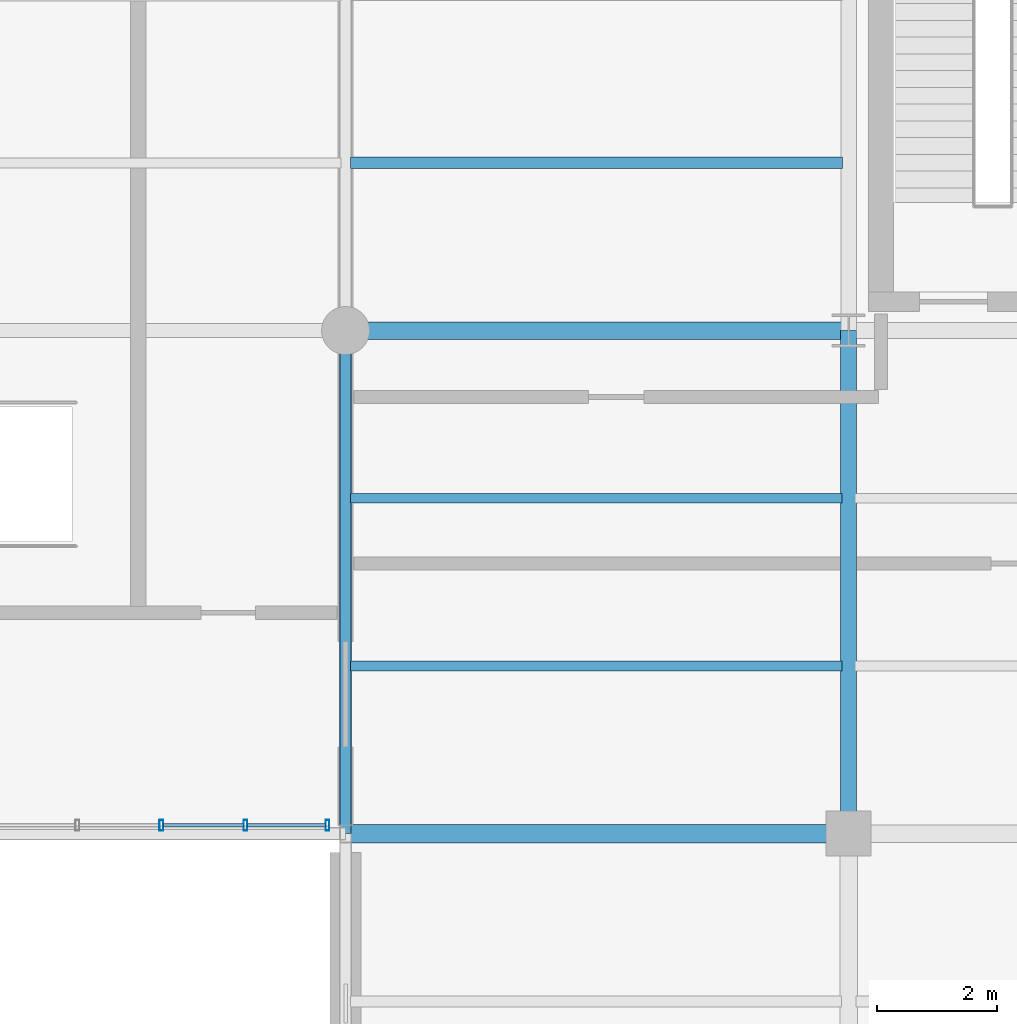
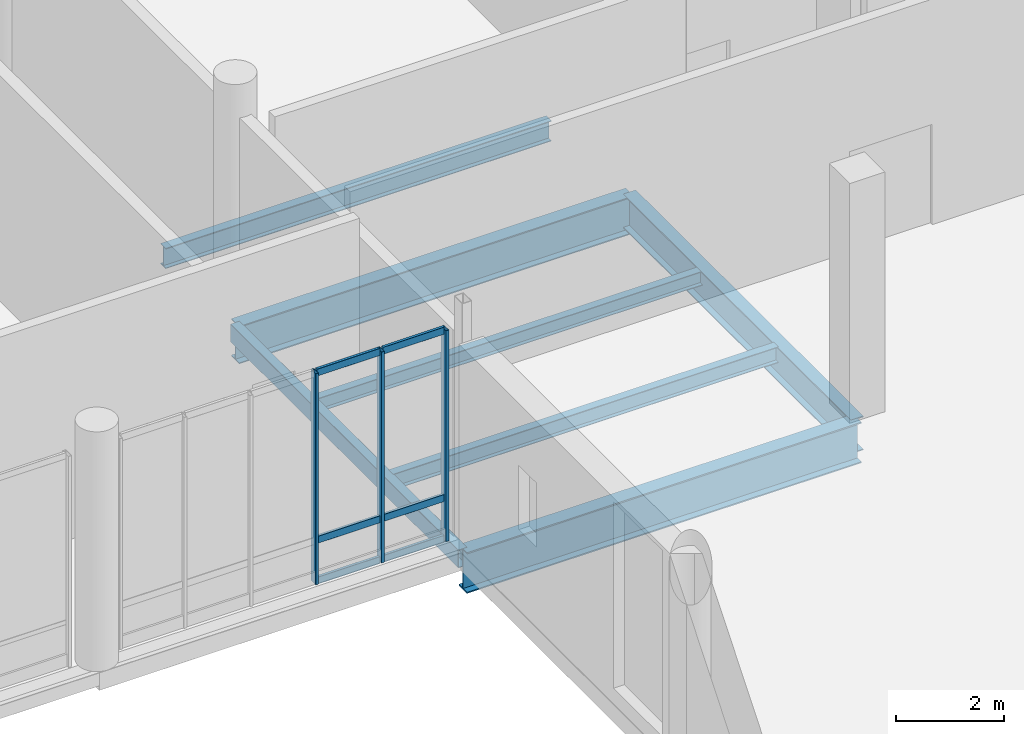
# One storey, part 58 of 128: 9 members, 7 beams, 1 element without a shape of its own.
"""IFC4 building model written with IfcOpenShell, lengths in metres."""

from ifc_helpers import new_model, si_unit, direction, frame, origin_with_axes, origin_2d_with_axis, place, context, subcontext, project, spatial, hollow_rectangle, i_section, extrude, material, material_profile, profile_set, type_object, element, aggregate, save


model = new_model("IFC4")

# Units and contexts
model_context = context("Model", 3, precision=1e-05, world=origin_with_axes(), true_north=direction((0.0, 1.0)))
body_context = subcontext(model_context, "Body", "Model", "MODEL_VIEW")
ifc_project = project(units=[si_unit("LENGTHUNIT", "METRE"), si_unit("AREAUNIT", "SQUARE_METRE"), si_unit("VOLUMEUNIT", "CUBIC_METRE"), si_unit("PLANEANGLEUNIT", "RADIAN"), si_unit("MASSUNIT", "GRAM", prefix="KILO"), si_unit("THERMODYNAMICTEMPERATUREUNIT", "KELVIN")], contexts=[model_context])

# Site, building, storey
site_placement = place(None, origin_with_axes())
site = spatial("IfcSite", under=ifc_project, at=site_placement, CompositionType="ELEMENT")
building_placement = place(site_placement, origin_with_axes())
building = spatial("IfcBuilding", under=site, at=building_placement, Name="Montbau Bow Law Courts", CompositionType="ELEMENT")
storey_placement = place(building_placement, frame((0.0, 0.0, 5.4), z_axis=(0.0, 0.0, 1.0), x_axis=(1.0, 0.0, 0.0)))
storey = spatial("IfcBuildingStorey", under=building, at=storey_placement, Name="L01", CompositionType="ELEMENT", Elevation=5.4)

# Beams
ifc_material_1 = material(Name="Steel CSA G40.21 Grade 350W (350 MPa)", Category="steel")
ifc_material_profile_1 = material_profile(ifc_material_1, i_section(OverallWidth=0.306, OverallDepth=0.919, WebThickness=0.0173, FlangeThickness=0.0279, at=origin_2d_with_axis()), Name="W920X253", Category="Main", Priority=0)
ifc_profile_set_1 = profile_set([ifc_material_profile_1], Name="Steel CSA G40.21 Grade 350W (350 MPa)")
beam_type_1 = type_object("IfcBeamType", Name="B-FLR-01", PredefinedType="BEAM", material=ifc_profile_set_1)
beam_1_placement = place(None, frame((121.8, 22.2, 4.7), z_axis=(1.0, 0.0, 0.0), x_axis=(0.0, 1.0, 0.0)))
element("IfcBeam", 1, at=beam_1_placement, inside=storey, type_object=beam_type_1, Name="BM-L01-S1451:bm2_1454", PredefinedType="BEAM", context=body_context, shape_type="SweptSolid", body=[
    extrude(i_section(OverallWidth=0.306, OverallDepth=0.919, WebThickness=0.0173, FlangeThickness=0.0279, at=origin_2d_with_axis()), origin_with_axes(), (0.0, 0.0, 1.0), 8.4),
])
ifc_material_profile_2 = material_profile(ifc_material_1, i_section(OverallWidth=0.293, OverallDepth=0.846, WebThickness=0.0154, FlangeThickness=0.0244, at=origin_2d_with_axis()), Name="W840X210", Category="Main", Priority=0)
ifc_profile_set_2 = profile_set([ifc_material_profile_2], Name="Steel CSA G40.21 Grade 350W (350 MPa)")
beam_type_2 = type_object("IfcBeamType", Name="B-FLR-02", PredefinedType="BEAM", material=ifc_profile_set_2)
beam_2_placement = place(None, frame((121.8, 30.6, 4.737), z_axis=(1.0, 0.0, 0.0), x_axis=(0.0, 1.0, 0.0)))
element("IfcBeam", 2, at=beam_2_placement, inside=storey, type_object=beam_type_2, Name="BM-L01-S1457:bm2_1460", PredefinedType="BEAM", context=body_context, shape_type="SweptSolid", body=[
    extrude(i_section(OverallWidth=0.293, OverallDepth=0.846, WebThickness=0.0154, FlangeThickness=0.0244, at=origin_2d_with_axis()), origin_with_axes(), (0.0, 0.0, 1.0), 8.4),
])
ifc_material_profile_3 = material_profile(ifc_material_1, i_section(OverallWidth=0.267, OverallDepth=0.766, WebThickness=0.0149, FlangeThickness=0.0236, at=origin_2d_with_axis()), Name="W760X185", Category="Main", Priority=0)
ifc_profile_set_3 = profile_set([ifc_material_profile_3], Name="Steel CSA G40.21 Grade 350W (350 MPa)")
beam_type_3 = type_object("IfcBeamType", Name="B-FLR-03", PredefinedType="BEAM", material=ifc_profile_set_3)
beam_3_placement = place(None, frame((130.2, 22.2, 4.777), z_axis=(0.0, 1.0, 0.0), x_axis=(-1.0, 0.0, 0.0)))
element("IfcBeam", 3, at=beam_3_placement, inside=storey, type_object=beam_type_3, Name="BM-L01-S1490:bm2_1493", PredefinedType="BEAM", context=body_context, shape_type="SweptSolid", body=[
    extrude(i_section(OverallWidth=0.267, OverallDepth=0.766, WebThickness=0.0149, FlangeThickness=0.0236, at=origin_2d_with_axis()), origin_with_axes(), (0.0, 0.0, 1.0), 8.4),
])
ifc_material_profile_4 = material_profile(ifc_material_1, i_section(OverallWidth=0.191, OverallDepth=0.46, WebThickness=0.0099, FlangeThickness=0.016, at=origin_2d_with_axis()), Name="W460X82", Category="Main", Priority=0)
ifc_profile_set_4 = profile_set([ifc_material_profile_4], Name="Steel CSA G40.21 Grade 350W (350 MPa)")
beam_type_4 = type_object("IfcBeamType", Name="B-JST-01", PredefinedType="JOIST", material=ifc_profile_set_4)
beam_4_placement = place(None, frame((121.88, 33.4, 4.93), z_axis=(1.0, 0.0, 0.0), x_axis=(0.0, 1.0, 0.0)))
element("IfcBeam", 4, at=beam_4_placement, inside=storey, type_object=beam_type_4, Name="JST-L01-S0812:jst2_0812", PredefinedType="JOIST", context=body_context, shape_type="SweptSolid", body=[
    extrude(i_section(OverallWidth=0.191, OverallDepth=0.46, WebThickness=0.0099, FlangeThickness=0.016, at=origin_2d_with_axis()), origin_with_axes(), (0.0, 0.0, 1.0), 8.217),
])
ifc_material_profile_5 = material_profile(ifc_material_1, i_section(OverallWidth=0.172, OverallDepth=0.358, WebThickness=0.0079, FlangeThickness=0.0131, at=origin_2d_with_axis()), Name="W360X57", Category="Main", Priority=0)
ifc_profile_set_5 = profile_set([ifc_material_profile_5], Name="Steel CSA G40.21 Grade 350W (350 MPa)")
beam_type_5 = type_object("IfcBeamType", Name="B-JST-03", PredefinedType="JOIST", material=ifc_profile_set_5)
beam_5_placement = place(None, frame((121.88, 25.0, 4.981), z_axis=(1.0, 0.0, 0.0), x_axis=(0.0, 1.0, 0.0)))
element("IfcBeam", 5, at=beam_5_placement, inside=storey, type_object=beam_type_5, Name="JST-L01-S0810:jst2_0810", PredefinedType="JOIST", context=body_context, shape_type="SweptSolid", body=[
    extrude(i_section(OverallWidth=0.172, OverallDepth=0.358, WebThickness=0.0079, FlangeThickness=0.0131, at=origin_2d_with_axis()), origin_with_axes(), (0.0, 0.0, 1.0), 8.21),
])
ifc_material_profile_6 = material_profile(ifc_material_1, i_section(OverallWidth=0.166, OverallDepth=0.313, WebThickness=0.0066, FlangeThickness=0.0112, at=origin_2d_with_axis()), Name="W310X45", Category="Main", Priority=0)
ifc_profile_set_6 = profile_set([ifc_material_profile_6], Name="Steel CSA G40.21 Grade 350W (350 MPa)")
beam_type_6 = type_object("IfcBeamType", Name="B-JST-04", PredefinedType="JOIST", material=ifc_profile_set_6)
beam_6_placement = place(None, frame((121.88, 27.8, 5.003), z_axis=(1.0, 0.0, 0.0), x_axis=(0.0, 1.0, 0.0)))
element("IfcBeam", 6, at=beam_6_placement, inside=storey, type_object=beam_type_6, Name="JST-L01-S0811:jst2_0811", PredefinedType="JOIST", context=body_context, shape_type="SweptSolid", body=[
    extrude(i_section(OverallWidth=0.166, OverallDepth=0.313, WebThickness=0.0066, FlangeThickness=0.0112, at=origin_2d_with_axis()), origin_with_axes(), (0.0, 0.0, 1.0), 8.21),
])
ifc_material_2 = material(Name="Steel CSA G40.21 Grade 350WT (350 MPa)", Category="steel")
ifc_material_profile_7 = material_profile(ifc_material_2, hollow_rectangle(XDim=0.203, YDim=0.406, WallThickness=0.0127, InnerFilletRadius=0.0254, OuterFilletRadius=0.0127, at=origin_2d_with_axis()), Name="HSS406X203X13", Category="Main", Priority=0)
ifc_profile_set_7 = profile_set([ifc_material_profile_7], Name="Steel CSA G40.21 Grade 350WT (350 MPa)")
beam_type_7 = type_object("IfcBeamType", Name="B-SPN-01", PredefinedType="SPANDREL", material=ifc_profile_set_7)
beam_7_placement = place(None, frame((121.8, 22.2, 4.957), z_axis=(0.0, 1.0, 0.0), x_axis=(-1.0, 0.0, 0.0)))
element("IfcBeam", 7, at=beam_7_placement, inside=storey, type_object=beam_type_7, Name="SPN-L01-S1096:bm2_1099", PredefinedType="SPANDREL", context=body_context, shape_type="SweptSolid", body=[
    extrude(hollow_rectangle(XDim=0.203, YDim=0.406, WallThickness=0.0127, InnerFilletRadius=0.0254, OuterFilletRadius=0.0127, at=origin_2d_with_axis()), origin_with_axes(), (0.0, 0.0, 1.0), 8.4),
])

# Curtain wall, members
ifc_material_3 = material(Name="Thermally Broken Extruded Aluminium AA 6063-T6", Category="aluminium")
curtain_wall_type = type_object("IfcCurtainWallType", Name="CW-WGC-01", PredefinedType="NOTDEFINED", material=ifc_material_3)
curtain_wall_placement = place(None, frame((114.515, 22.34, 5.4), z_axis=(0.0, 0.0, 1.0), x_axis=(1.0, 0.0, 0.0)))
curtain_wall = element("IfcCurtainWall", 8, at=curtain_wall_placement, inside=storey, type_object=curtain_wall_type, Name="CW-L01-412:cw_0412", PredefinedType="NOTDEFINED")
ifc_material_profile_8 = material_profile(ifc_material_3, hollow_rectangle(XDim=0.065, YDim=0.18, WallThickness=0.005, InnerFilletRadius=0.01, OuterFilletRadius=0.005, at=origin_2d_with_axis()), Name="CWM-180X65", Category="Main", Priority=0)
ifc_profile_set_8 = profile_set([ifc_material_profile_8], Name="Thermally Broken Extruded Aluminium AA 6063-T6")
member_type_1 = type_object("IfcMemberType", Name="M-MUL-02", PredefinedType="MULLION", material=ifc_profile_set_8)
member_1_placement = place(None, frame((118.725, 22.34, 5.4), z_axis=(0.0, 0.0, 1.0), x_axis=(1.0, 0.0, 0.0)))
member_1 = element("IfcMember", 9, at=member_1_placement, type_object=member_type_1, Name="CW-L01-412-M04:cw_0412_M04", PredefinedType="MULLION", context=body_context, shape_type="SweptSolid", body=[
    extrude(hollow_rectangle(XDim=0.065, YDim=0.18, WallThickness=0.005, InnerFilletRadius=0.01, OuterFilletRadius=0.005, at=origin_2d_with_axis()), origin_with_axes(), (0.0, 0.0, 1.0), 4.75),
])
member_2_placement = place(None, frame((120.129, 22.34, 5.4), z_axis=(0.0, 0.0, 1.0), x_axis=(1.0, 0.0, 0.0)))
member_2 = element("IfcMember", 10, at=member_2_placement, type_object=member_type_1, Name="CW-L01-412-M05:cw_0412_M05", PredefinedType="MULLION", context=body_context, shape_type="SweptSolid", body=[
    extrude(hollow_rectangle(XDim=0.065, YDim=0.18, WallThickness=0.005, InnerFilletRadius=0.01, OuterFilletRadius=0.005, at=origin_2d_with_axis()), origin_with_axes(), (0.0, 0.0, 1.0), 4.75),
])
member_3_placement = place(None, frame((121.499, 22.34, 5.4), z_axis=(0.0, 0.0, 1.0), x_axis=(1.0, 0.0, 0.0)))
member_3 = element("IfcMember", 11, at=member_3_placement, type_object=member_type_1, Name="CW-L01-412-M06:cw_0412_M06", PredefinedType="MULLION", context=body_context, shape_type="SweptSolid", body=[
    extrude(hollow_rectangle(XDim=0.065, YDim=0.18, WallThickness=0.005, InnerFilletRadius=0.01, OuterFilletRadius=0.005, at=origin_2d_with_axis()), origin_with_axes(), (0.0, 0.0, 1.0), 4.75),
])
ifc_material_profile_9 = material_profile(ifc_material_3, hollow_rectangle(XDim=0.06, YDim=0.16, WallThickness=0.004, InnerFilletRadius=0.008, OuterFilletRadius=0.004, at=origin_2d_with_axis()), Name="CWT-160X60", Category="Main", Priority=0)
ifc_profile_set_9 = profile_set([ifc_material_profile_9], Name="Thermally Broken Extruded Aluminium AA 6063-T6")
member_type_2 = type_object("IfcMemberType", Name="M-TRN-01", PredefinedType="USERDEFINED", material=ifc_profile_set_9)
member_4_placement = place(None, frame((118.759, 22.34, 5.43), z_axis=(1.0, 0.0, 0.0), x_axis=(0.0, 1.0, 0.0)))
member_4 = element("IfcMember", 12, at=member_4_placement, type_object=member_type_2, Name="CW-L01-412-T04-1:cw_0412_T04_1", ObjectType="TRANSOM", PredefinedType="USERDEFINED", context=body_context, shape_type="SweptSolid", body=[
    extrude(hollow_rectangle(XDim=0.06, YDim=0.16, WallThickness=0.004, InnerFilletRadius=0.008, OuterFilletRadius=0.004, at=origin_2d_with_axis()), origin_with_axes(), (0.0, 0.0, 1.0), 1.336),
])
member_5_placement = place(None, frame((118.759, 22.34, 6.35), z_axis=(1.0, 0.0, 0.0), x_axis=(0.0, 1.0, 0.0)))
member_5 = element("IfcMember", 13, at=member_5_placement, type_object=member_type_2, Name="CW-L01-412-T04-2:cw_0412_T04_2", ObjectType="TRANSOM", PredefinedType="USERDEFINED", context=body_context, shape_type="SweptSolid", body=[
    extrude(hollow_rectangle(XDim=0.06, YDim=0.16, WallThickness=0.004, InnerFilletRadius=0.008, OuterFilletRadius=0.004, at=origin_2d_with_axis()), origin_with_axes(), (0.0, 0.0, 1.0), 1.336),
])
member_6_placement = place(None, frame((118.759, 22.34, 10.12), z_axis=(1.0, 0.0, 0.0), x_axis=(0.0, 1.0, 0.0)))
member_6 = element("IfcMember", 14, at=member_6_placement, type_object=member_type_2, Name="CW-L01-412-T04-3:cw_0412_T04_3", ObjectType="TRANSOM", PredefinedType="USERDEFINED", context=body_context, shape_type="SweptSolid", body=[
    extrude(hollow_rectangle(XDim=0.06, YDim=0.16, WallThickness=0.004, InnerFilletRadius=0.008, OuterFilletRadius=0.004, at=origin_2d_with_axis()), origin_with_axes(), (0.0, 0.0, 1.0), 1.336),
])
member_7_placement = place(None, frame((120.163, 22.34, 5.43), z_axis=(1.0, 0.0, 0.0), x_axis=(0.0, 1.0, 0.0)))
member_7 = element("IfcMember", 15, at=member_7_placement, type_object=member_type_2, Name="CW-L01-412-T05-1:cw_0412_T05_1", ObjectType="TRANSOM", PredefinedType="USERDEFINED", context=body_context, shape_type="SweptSolid", body=[
    extrude(hollow_rectangle(XDim=0.06, YDim=0.16, WallThickness=0.004, InnerFilletRadius=0.008, OuterFilletRadius=0.004, at=origin_2d_with_axis()), origin_with_axes(), (0.0, 0.0, 1.0), 1.302),
])
member_8_placement = place(None, frame((120.163, 22.34, 6.35), z_axis=(1.0, 0.0, 0.0), x_axis=(0.0, 1.0, 0.0)))
member_8 = element("IfcMember", 16, at=member_8_placement, type_object=member_type_2, Name="CW-L01-412-T05-2:cw_0412_T05_2", ObjectType="TRANSOM", PredefinedType="USERDEFINED", context=body_context, shape_type="SweptSolid", body=[
    extrude(hollow_rectangle(XDim=0.06, YDim=0.16, WallThickness=0.004, InnerFilletRadius=0.008, OuterFilletRadius=0.004, at=origin_2d_with_axis()), origin_with_axes(), (0.0, 0.0, 1.0), 1.302),
])
member_9_placement = place(None, frame((120.163, 22.34, 10.12), z_axis=(1.0, 0.0, 0.0), x_axis=(0.0, 1.0, 0.0)))
member_9 = element("IfcMember", 17, at=member_9_placement, type_object=member_type_2, Name="CW-L01-412-T05-3:cw_0412_T05_3", ObjectType="TRANSOM", PredefinedType="USERDEFINED", context=body_context, shape_type="SweptSolid", body=[
    extrude(hollow_rectangle(XDim=0.06, YDim=0.16, WallThickness=0.004, InnerFilletRadius=0.008, OuterFilletRadius=0.004, at=origin_2d_with_axis()), origin_with_axes(), (0.0, 0.0, 1.0), 1.302),
])
aggregate(curtain_wall, [member_1, member_2, member_3, member_4, member_5, member_6, member_7, member_8, member_9])

save(model, "model.ifc")
